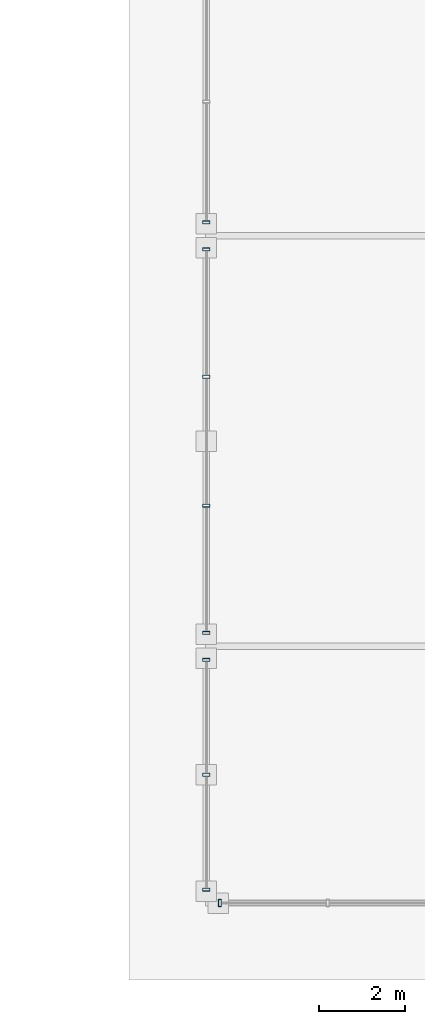
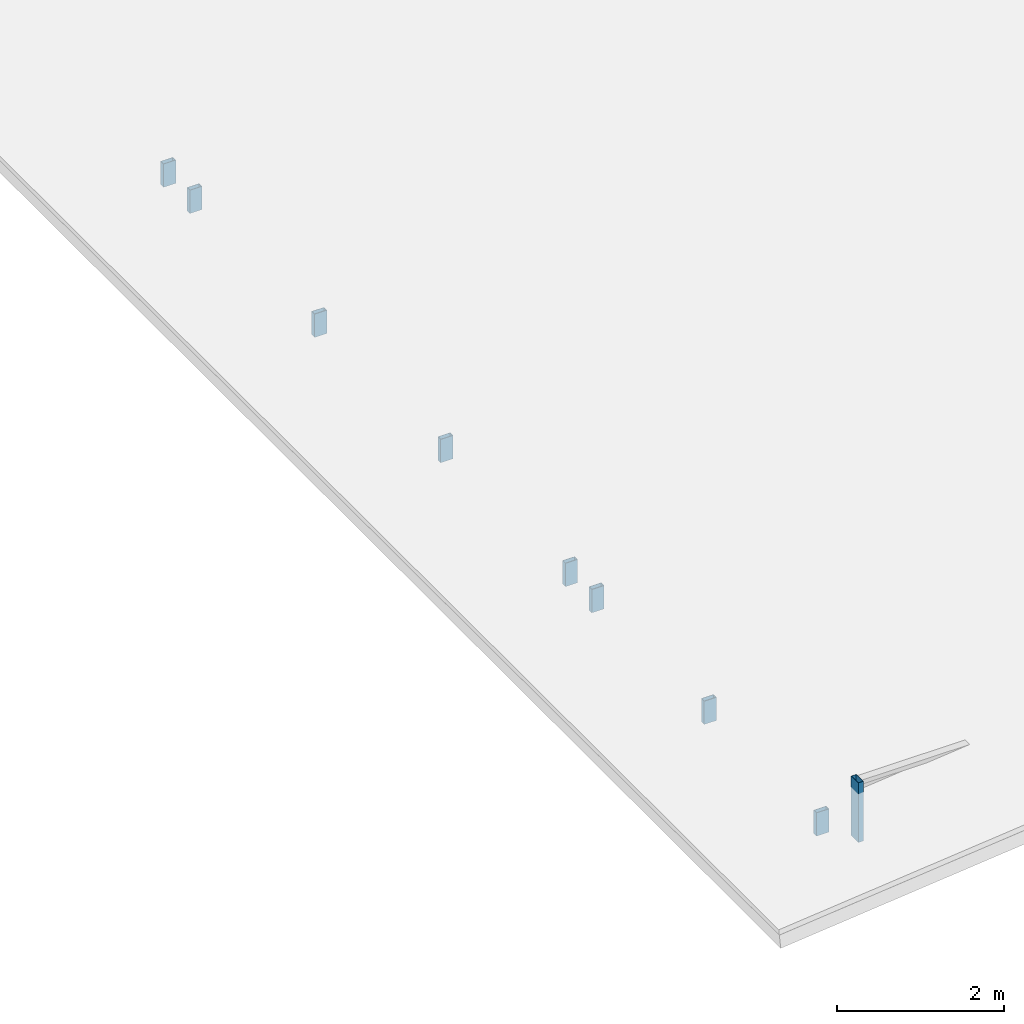
# One storey, part 77 of 117: 9 members, 4 elements without a shape of their own.
"""IFC4 building model written with IfcOpenShell, lengths in metres."""

import ifcopenshell
import ifcopenshell.guid

model = None  # the IFC model being written
_history = None  # IfcOwnerHistory: only IFC2X3 demands one
_inside = {}  # id of a spatial element -> (the spatial element, [elements in it])
_under = {}  # id of a project, library or spatial element -> (it, [spatial elements below it])
_declared = {}  # id of a project -> (the project, [libraries it declares])
_typed = {}  # id of a type object -> (the type object, [elements of that type])
_made_of = {}  # id of a material, layer set ... -> (it, [elements and type objects made of it])


def new_model(schema):
    """Start an empty IFC model of exactly this schema.

    Asked for "IFC4X3", IfcOpenShell would pick the latest addendum, in which some entities
    have other attributes; the version numbers below select the first issue.
    IFC2X3 requires an IfcOwnerHistory on every rooted entity: one is made here for all.
    """
    global model, _history
    if schema == "IFC4X3":
        model = ifcopenshell.file(schema_version=(4, 3, 0, 0))
    else:
        model = ifcopenshell.file(schema=schema)
    _inside.clear()
    _under.clear()
    _declared.clear()
    _typed.clear()
    _made_of.clear()
    _history = None
    if model.schema == "IFC2X3":
        org = make("IfcOrganization", Name="unknown")
        user = make(
            "IfcPersonAndOrganization",
            ThePerson=make("IfcPerson", FamilyName="unknown"),
            TheOrganization=org,
        )
        app = make(
            "IfcApplication",
            ApplicationDeveloper=org,
            Version="unknown",
            ApplicationFullName="unknown",
            ApplicationIdentifier="unknown",
        )
        _history = make(
            "IfcOwnerHistory",
            OwningUser=user,
            OwningApplication=app,
            ChangeAction="ADDED",
            CreationDate=0,
        )
    return model


def make(cls, **values):
    """One entity of the class cls with the attributes given. An attribute that is None is left unset."""
    return model.create_entity(
        cls, **{name: value for name, value in values.items() if value is not None}
    )


def rooted(cls, **values):
    """An entity with a GlobalId (a new one), such as an element, a storey or a relation."""
    return make(cls, GlobalId=ifcopenshell.guid.new(), OwnerHistory=_history, **values)


def si_unit(unit_type, name, prefix=None):
    """IfcSIUnit, for example si_unit("LENGTHUNIT", "METRE", prefix="MILLI")."""
    return make("IfcSIUnit", UnitType=unit_type, Prefix=prefix, Name=name)


def assignment(units):
    """IfcUnitAssignment: the units of a project."""
    return None if units is None else make("IfcUnitAssignment", Units=units)


def point(xyz):
    """IfcCartesianPoint."""
    return None if xyz is None else make("IfcCartesianPoint", Coordinates=xyz)


def direction(xyz):
    """IfcDirection."""
    return None if xyz is None else make("IfcDirection", DirectionRatios=xyz)


def frame(location, z_axis=None, x_axis=None):
    """IfcAxis2Placement3D, a coordinate frame: its origin and axes. An axis left out is left unset."""
    return make(
        "IfcAxis2Placement3D",
        Location=point(location),
        Axis=direction(z_axis),
        RefDirection=direction(x_axis),
    )


def frame_2d(location, x_axis=None):
    """IfcAxis2Placement2D, a coordinate frame in the plane: its origin and x axis."""
    return make(
        "IfcAxis2Placement2D", Location=point(location), RefDirection=direction(x_axis)
    )


def origin():
    """The frame at (0, 0, 0) with its axes left unset."""
    return frame((0.0, 0.0, 0.0))


def origin_2d():
    """The frame at (0, 0) in the plane with its x axis left unset."""
    return frame_2d((0.0, 0.0))


def place(relative_to, where):
    """IfcLocalPlacement: puts the frame where relative to a parent placement (None: the world)."""
    return make(
        "IfcLocalPlacement", PlacementRelTo=relative_to, RelativePlacement=where
    )


def context(
    kind, dimensions, precision=None, world=None, true_north=None, identifier=None
):
    """IfcGeometricRepresentationContext, for example the 3D "Model" context."""
    return make(
        "IfcGeometricRepresentationContext",
        ContextIdentifier=identifier,
        ContextType=kind,
        CoordinateSpaceDimension=dimensions,
        Precision=precision,
        WorldCoordinateSystem=world,
        TrueNorth=true_north,
    )


def subcontext(parent, identifier, kind, view, scale=None):
    """IfcGeometricRepresentationSubContext, for example "Body" below "Model"."""
    return make(
        "IfcGeometricRepresentationSubContext",
        ContextIdentifier=identifier,
        ContextType=kind,
        ParentContext=parent,
        TargetScale=scale,
        TargetView=view,
    )


def project(units=None, contexts=None):
    """IfcProject with its units and contexts."""
    return rooted(
        "IfcProject",
        Name="project",
        RepresentationContexts=contexts,
        UnitsInContext=assignment(units),
    )


def spatial(cls, under=None, at=None, **own):
    """A site, building, storey or space (cls), placed at a placement, below another one or the project."""
    s = rooted(cls, ObjectPlacement=at, **own)
    if under is not None:
        _under.setdefault(under.id(), (under, []))[1].append(s)
    return s


def profile(cls, at=None, kind="AREA", **sizes):
    """A parametric profile (cls). Its sizes go by their IFC names, for example OverallWidth=200.0."""
    return make(cls, ProfileType=kind, Position=at, **sizes)


def hollow_rectangle(**sizes):
    """IfcRectangleHollowProfileDef."""
    return profile("IfcRectangleHollowProfileDef", **sizes)


def extrude(swept, where, along, depth):
    """IfcExtrudedAreaSolid: the profile swept, set in the frame where, extruded along a direction by depth."""
    return make(
        "IfcExtrudedAreaSolid",
        SweptArea=swept,
        Position=where,
        ExtrudedDirection=direction(along),
        Depth=depth,
    )


def shape(context_of_items, identifier, shape_type, items):
    """IfcShapeRepresentation: the items that make up one representation, for example the "Body"."""
    return make(
        "IfcShapeRepresentation",
        ContextOfItems=context_of_items,
        RepresentationIdentifier=identifier,
        RepresentationType=shape_type,
        Items=items,
    )


def material(Name=None, Category=None):
    """IfcMaterial."""
    return make("IfcMaterial", Name=Name, Category=Category)


def material_profile(
    of_material, cross_section, Name=None, Category=None, Priority=None
):
    """IfcMaterialProfile: a cross section and its material."""
    return make(
        "IfcMaterialProfile",
        Name=Name,
        Material=of_material,
        Profile=cross_section,
        Priority=Priority,
        Category=Category,
    )


def profile_set(profiles, Name=None, composite=None):
    """IfcMaterialProfileSet."""
    return make(
        "IfcMaterialProfileSet",
        Name=Name,
        MaterialProfiles=profiles,
        CompositeProfile=composite,
    )


def made_of(thing, what):
    """Note that an element or type object is made of a material, layer set ...; save() writes the relation."""
    if what is not None:
        _made_of.setdefault(what.id(), (what, []))[1].append(thing)
    return thing


def type_object(cls, material=None, **own):
    """A type object (cls), such as IfcWallType, which elements share."""
    return made_of(rooted(cls, **own), material)


def element(
    cls,
    number,
    at=None,
    inside=None,
    cuts=None,
    type_object=None,
    material=None,
    context=None,
    identifier="Body",
    shape_type=None,
    held_by="IfcProductDefinitionShape",
    body=None,
    shapes=None,
    **own,
):
    """One element of the class cls, such as IfcWall. Its Tag is "e" and its number.

    at: its placement. inside: the storey or other place that contains it. cuts: it is an
    opening in that element (IfcRelVoidsElement). A single representation is given by context,
    identifier, shape_type and body (its items); several are given by shapes. held_by: the class
    of the entity that holds the representations. save() writes the other relations.
    """
    e = rooted(cls, Tag="e%d" % number, ObjectPlacement=at, **own)
    if body is not None:
        shapes = [shape(context, identifier, shape_type, body)]
    if shapes is not None:
        e.Representation = make(held_by, Representations=shapes)
    if inside is not None:
        _inside.setdefault(inside.id(), (inside, []))[1].append(e)
    if cuts is not None:
        rooted(
            "IfcRelVoidsElement", RelatingBuildingElement=cuts, RelatedOpeningElement=e
        )
    if type_object is not None:
        _typed.setdefault(type_object.id(), (type_object, []))[1].append(e)
    return made_of(e, material)


def aggregate(whole, parts):
    """IfcRelAggregates: a whole, such as a stair, and the parts it consists of."""
    return rooted("IfcRelAggregates", RelatingObject=whole, RelatedObjects=parts)


def save(model, path):
    """Write the relations noted so far, then the file.

    IfcRelAggregates (storeys below a building ...), IfcRelContainedInSpatialStructure (elements
    in a storey), IfcRelDefinesByType, IfcRelAssociatesMaterial and IfcRelDeclares: one each for
    every whole, place, type object, material and project.
    """
    for whole, parts in _under.values():
        aggregate(whole, parts)
    for where, things in _inside.values():
        rooted(
            "IfcRelContainedInSpatialStructure",
            RelatedElements=things,
            RelatingStructure=where,
        )
    for kind, things in _typed.values():
        rooted("IfcRelDefinesByType", RelatedObjects=things, RelatingType=kind)
    for what, things in _made_of.values():
        rooted("IfcRelAssociatesMaterial", RelatedObjects=things, RelatingMaterial=what)
    for by, libraries in _declared.values():
        rooted("IfcRelDeclares", RelatingContext=by, RelatedDefinitions=libraries)
    model.write(path)


model = new_model("IFC4")

# Units and contexts
model_context = context("Model", 3, precision=1e-05, world=origin(), true_north=direction((0.0, 1.0)))
body_context = subcontext(model_context, "Body", "Model", "MODEL_VIEW")
ifc_project = project(units=[si_unit("LENGTHUNIT", "METRE"), si_unit("AREAUNIT", "SQUARE_METRE"), si_unit("VOLUMEUNIT", "CUBIC_METRE"), si_unit("PLANEANGLEUNIT", "RADIAN"), si_unit("MASSUNIT", "GRAM", prefix="KILO")], contexts=[model_context])

# Site, building, storey
site_placement = place(None, origin())
site = spatial("IfcSite", under=ifc_project, at=site_placement, CompositionType="ELEMENT")
building_placement = place(site_placement, origin())
building = spatial("IfcBuilding", under=site, at=building_placement, Name="Merenkruunu Market Hall", CompositionType="ELEMENT")
storey_placement = place(building_placement, frame((0.0, 0.0, 22.800048828125)))
storey = spatial("IfcBuildingStorey", under=building, at=storey_placement, Name="RF", CompositionType="ELEMENT", Elevation=22.800048828125)

# Curtain wall, members
ifc_material = material(Name="Powder-coated aluminium", Category="aluminium")
curtain_wall_type_1 = type_object("IfcCurtainWallType", Name="Clerestory Curtain Band CL04", PredefinedType="USERDEFINED", material=ifc_material)
curtain_wall_1_placement = place(storey_placement, origin())
curtain_wall_1 = element("IfcCurtainWall", 1, at=curtain_wall_1_placement, inside=storey, type_object=curtain_wall_type_1, Name="CW-RF-CWM04-236", ObjectType="CLERESTORY_BAND", PredefinedType="USERDEFINED")
ifc_material_profile = material_profile(ifc_material, hollow_rectangle(XDim=0.070068359375, YDim=0.169921875, WallThickness=0.0048828125, at=origin_2d()), Name="ALU 70x170x5")
ifc_profile_set = profile_set([ifc_material_profile], Name="Powder-coated aluminium")
member_type = type_object("IfcMemberType", Name="Curtain Wall Mullion CWM04", PredefinedType="MULLION", material=ifc_profile_set)
member_1_placement = place(storey_placement, frame((159.60009765625, 0.31494140625, -1.719970703125), z_axis=(0.0, 0.0, 1.0), x_axis=(0.0, 1.0, 0.0)))
member_1 = element("IfcMember", 2, at=member_1_placement, type_object=member_type, Name="CL04 mullion 1", PredefinedType="MULLION", context=body_context, shape_type="SweptSolid", body=[
    extrude(hollow_rectangle(XDim=0.070068359375, YDim=0.169921875, WallThickness=0.0048828125, at=origin_2d()), origin(), (0.0, 0.0, 1.0), 0.33984375),
])
member_2_placement = place(storey_placement, frame((159.60009765625, 3.0, -1.719970703125), z_axis=(0.0, 0.0, 1.0), x_axis=(0.0, 1.0, 0.0)))
member_2 = element("IfcMember", 3, at=member_2_placement, type_object=member_type, Name="CL04 mullion 2", PredefinedType="MULLION", context=body_context, shape_type="SweptSolid", body=[
    extrude(hollow_rectangle(XDim=0.070068359375, YDim=0.169921875, WallThickness=0.0048828125, at=origin_2d()), origin(), (0.0, 0.0, 1.0), 0.33984375),
])
member_3_placement = place(storey_placement, frame((159.60009765625, 5.68505859375, -1.719970703125), z_axis=(0.0, 0.0, 1.0), x_axis=(0.0, 1.0, 0.0)))
member_3 = element("IfcMember", 4, at=member_3_placement, type_object=member_type, Name="CL04 mullion 3", PredefinedType="MULLION", context=body_context, shape_type="SweptSolid", body=[
    extrude(hollow_rectangle(XDim=0.070068359375, YDim=0.169921875, WallThickness=0.0048828125, at=origin_2d()), origin(), (0.0, 0.0, 1.0), 0.33984375),
])
aggregate(curtain_wall_1, [member_1, member_2, member_3])

curtain_wall_2_placement = place(storey_placement, origin())
curtain_wall_2 = element("IfcCurtainWall", 5, at=curtain_wall_2_placement, inside=storey, type_object=curtain_wall_type_1, Name="CW-RF-CWM04-238", ObjectType="CLERESTORY_BAND", PredefinedType="USERDEFINED")
member_4_placement = place(storey_placement, frame((159.60009765625, 6.31494140625, -1.719970703125), z_axis=(0.0, 0.0, 1.0), x_axis=(0.0, 1.0, 0.0)))
member_4 = element("IfcMember", 6, at=member_4_placement, type_object=member_type, Name="CL04 mullion 1", PredefinedType="MULLION", context=body_context, shape_type="SweptSolid", body=[
    extrude(hollow_rectangle(XDim=0.070068359375, YDim=0.169921875, WallThickness=0.0048828125, at=origin_2d()), origin(), (0.0, 0.0, 1.0), 0.33984375),
])
member_5_placement = place(storey_placement, frame((159.60009765625, 9.293212890625, -1.719970703125), z_axis=(0.0, 0.0, 1.0), x_axis=(0.0, 1.0, 0.0)))
member_5 = element("IfcMember", 7, at=member_5_placement, type_object=member_type, Name="CL04 mullion 2", PredefinedType="MULLION", context=body_context, shape_type="SweptSolid", body=[
    extrude(hollow_rectangle(XDim=0.070068359375, YDim=0.169921875, WallThickness=0.0048828125, at=origin_2d()), origin(), (0.0, 0.0, 1.0), 0.33984375),
])
member_6_placement = place(storey_placement, frame((159.60009765625, 12.306640625, -1.719970703125), z_axis=(0.0, 0.0, 1.0), x_axis=(0.0, 1.0, 0.0)))
member_6 = element("IfcMember", 8, at=member_6_placement, type_object=member_type, Name="CL04 mullion 3", PredefinedType="MULLION", context=body_context, shape_type="SweptSolid", body=[
    extrude(hollow_rectangle(XDim=0.070068359375, YDim=0.169921875, WallThickness=0.0048828125, at=origin_2d()), origin(), (0.0, 0.0, 1.0), 0.33984375),
])
member_7_placement = place(storey_placement, frame((159.60009765625, 15.284912109375, -1.719970703125), z_axis=(0.0, 0.0, 1.0), x_axis=(0.0, 1.0, 0.0)))
member_7 = element("IfcMember", 9, at=member_7_placement, type_object=member_type, Name="CL04 mullion 4", PredefinedType="MULLION", context=body_context, shape_type="SweptSolid", body=[
    extrude(hollow_rectangle(XDim=0.070068359375, YDim=0.169921875, WallThickness=0.0048828125, at=origin_2d()), origin(), (0.0, 0.0, 1.0), 0.33984375),
])
aggregate(curtain_wall_2, [member_4, member_5, member_6, member_7])

# Curtain wall, member
curtain_wall_3_placement = place(storey_placement, origin())
curtain_wall_3 = element("IfcCurtainWall", 10, at=curtain_wall_3_placement, inside=storey, type_object=curtain_wall_type_1, Name="CW-RF-CWM04-240", ObjectType="CLERESTORY_BAND", PredefinedType="USERDEFINED")
member_8_placement = place(storey_placement, frame((159.60009765625, 15.9150390625, -1.719970703125), z_axis=(0.0, 0.0, 1.0), x_axis=(0.0, 1.0, 0.0)))
member_8 = element("IfcMember", 11, at=member_8_placement, type_object=member_type, Name="CL04 mullion 1", PredefinedType="MULLION", context=body_context, shape_type="SweptSolid", body=[
    extrude(hollow_rectangle(XDim=0.070068359375, YDim=0.169921875, WallThickness=0.0048828125, at=origin_2d()), origin(), (0.0, 0.0, 1.0), 0.33984375),
])
aggregate(curtain_wall_3, [member_8])

curtain_wall_type_2 = type_object("IfcCurtainWallType", Name="Clerestory Curtain Band CL03", PredefinedType="USERDEFINED", material=ifc_material)
curtain_wall_4_placement = place(storey_placement, origin())
curtain_wall_4 = element("IfcCurtainWall", 12, at=curtain_wall_4_placement, inside=storey, type_object=curtain_wall_type_2, Name="CW-RF-CWM04-242", ObjectType="CLERESTORY_BAND", PredefinedType="USERDEFINED")
member_9_placement = place(storey_placement, frame((159.9150390625, 0.0, -1.719970703125), z_axis=(0.0, 0.0, 1.0), x_axis=(-1.0, 0.0, 0.0)))
member_9 = element("IfcMember", 13, at=member_9_placement, type_object=member_type, Name="CL03 mullion 5", PredefinedType="MULLION", context=body_context, shape_type="SweptSolid", body=[
    extrude(hollow_rectangle(XDim=0.070068359375, YDim=0.169921875, WallThickness=0.0048828125, at=origin_2d()), origin(), (0.0, 0.0, 1.0), 0.869873046875),
])
aggregate(curtain_wall_4, [member_9])

save(model, "model.ifc")
